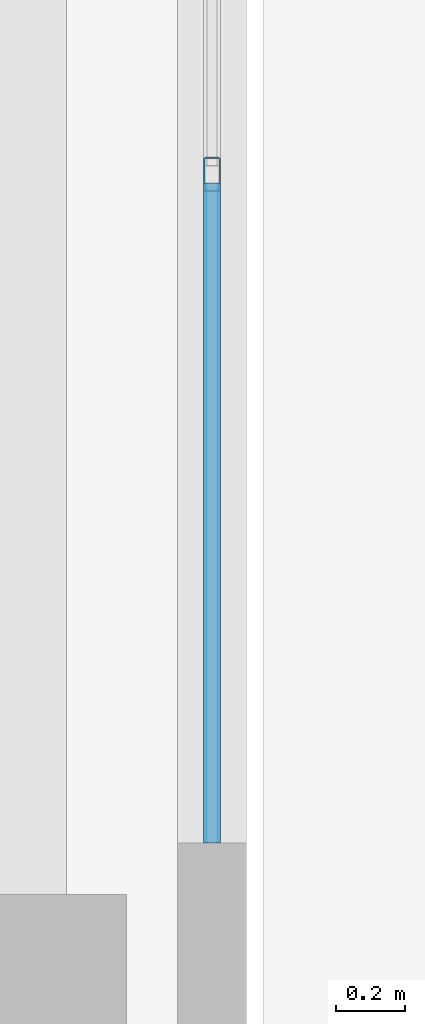
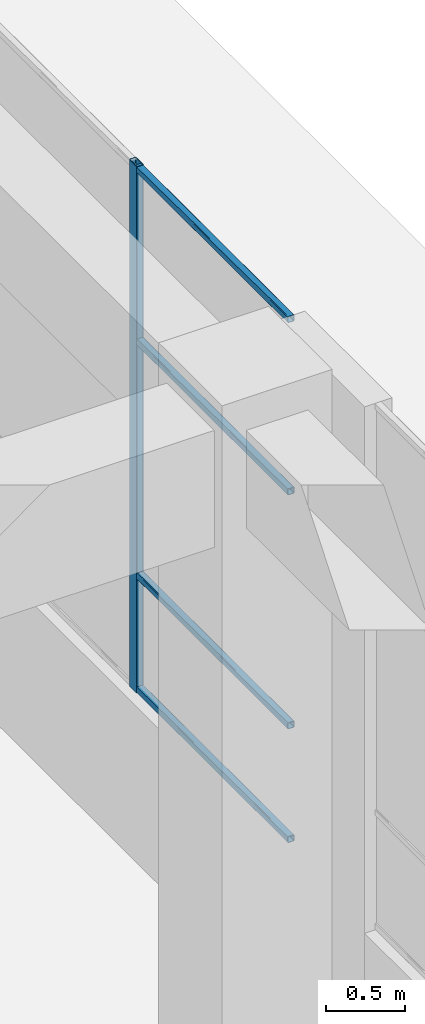
# One storey, part 35 of 72: 5 members, 1 element without a shape of its own.
"""IFC4 building model written with IfcOpenShell, lengths in metres."""

import ifcopenshell
import ifcopenshell.guid

model = None  # the IFC model being written
_history = None  # IfcOwnerHistory: only IFC2X3 demands one
_inside = {}  # id of a spatial element -> (the spatial element, [elements in it])
_under = {}  # id of a project, library or spatial element -> (it, [spatial elements below it])
_declared = {}  # id of a project -> (the project, [libraries it declares])
_typed = {}  # id of a type object -> (the type object, [elements of that type])
_made_of = {}  # id of a material, layer set ... -> (it, [elements and type objects made of it])


def new_model(schema):
    """Start an empty IFC model of exactly this schema.

    Asked for "IFC4X3", IfcOpenShell would pick the latest addendum, in which some entities
    have other attributes; the version numbers below select the first issue.
    IFC2X3 requires an IfcOwnerHistory on every rooted entity: one is made here for all.
    """
    global model, _history
    if schema == "IFC4X3":
        model = ifcopenshell.file(schema_version=(4, 3, 0, 0))
    else:
        model = ifcopenshell.file(schema=schema)
    _inside.clear()
    _under.clear()
    _declared.clear()
    _typed.clear()
    _made_of.clear()
    _history = None
    if model.schema == "IFC2X3":
        org = make("IfcOrganization", Name="unknown")
        user = make(
            "IfcPersonAndOrganization",
            ThePerson=make("IfcPerson", FamilyName="unknown"),
            TheOrganization=org,
        )
        app = make(
            "IfcApplication",
            ApplicationDeveloper=org,
            Version="unknown",
            ApplicationFullName="unknown",
            ApplicationIdentifier="unknown",
        )
        _history = make(
            "IfcOwnerHistory",
            OwningUser=user,
            OwningApplication=app,
            ChangeAction="ADDED",
            CreationDate=0,
        )
    return model


def make(cls, **values):
    """One entity of the class cls with the attributes given. An attribute that is None is left unset."""
    return model.create_entity(
        cls, **{name: value for name, value in values.items() if value is not None}
    )


def rooted(cls, **values):
    """An entity with a GlobalId (a new one), such as an element, a storey or a relation."""
    return make(cls, GlobalId=ifcopenshell.guid.new(), OwnerHistory=_history, **values)


def si_unit(unit_type, name, prefix=None):
    """IfcSIUnit, for example si_unit("LENGTHUNIT", "METRE", prefix="MILLI")."""
    return make("IfcSIUnit", UnitType=unit_type, Prefix=prefix, Name=name)


def assignment(units):
    """IfcUnitAssignment: the units of a project."""
    return None if units is None else make("IfcUnitAssignment", Units=units)


def point(xyz):
    """IfcCartesianPoint."""
    return None if xyz is None else make("IfcCartesianPoint", Coordinates=xyz)


def direction(xyz):
    """IfcDirection."""
    return None if xyz is None else make("IfcDirection", DirectionRatios=xyz)


def frame(location, z_axis=None, x_axis=None):
    """IfcAxis2Placement3D, a coordinate frame: its origin and axes. An axis left out is left unset."""
    return make(
        "IfcAxis2Placement3D",
        Location=point(location),
        Axis=direction(z_axis),
        RefDirection=direction(x_axis),
    )


def frame_2d(location, x_axis=None):
    """IfcAxis2Placement2D, a coordinate frame in the plane: its origin and x axis."""
    return make(
        "IfcAxis2Placement2D", Location=point(location), RefDirection=direction(x_axis)
    )


def origin():
    """The frame at (0, 0, 0) with its axes left unset."""
    return frame((0.0, 0.0, 0.0))


def origin_2d():
    """The frame at (0, 0) in the plane with its x axis left unset."""
    return frame_2d((0.0, 0.0))


def place(relative_to, where):
    """IfcLocalPlacement: puts the frame where relative to a parent placement (None: the world)."""
    return make(
        "IfcLocalPlacement", PlacementRelTo=relative_to, RelativePlacement=where
    )


def context(
    kind, dimensions, precision=None, world=None, true_north=None, identifier=None
):
    """IfcGeometricRepresentationContext, for example the 3D "Model" context."""
    return make(
        "IfcGeometricRepresentationContext",
        ContextIdentifier=identifier,
        ContextType=kind,
        CoordinateSpaceDimension=dimensions,
        Precision=precision,
        WorldCoordinateSystem=world,
        TrueNorth=true_north,
    )


def subcontext(parent, identifier, kind, view, scale=None):
    """IfcGeometricRepresentationSubContext, for example "Body" below "Model"."""
    return make(
        "IfcGeometricRepresentationSubContext",
        ContextIdentifier=identifier,
        ContextType=kind,
        ParentContext=parent,
        TargetScale=scale,
        TargetView=view,
    )


def project(units=None, contexts=None):
    """IfcProject with its units and contexts."""
    return rooted(
        "IfcProject",
        Name="project",
        RepresentationContexts=contexts,
        UnitsInContext=assignment(units),
    )


def spatial(cls, under=None, at=None, **own):
    """A site, building, storey or space (cls), placed at a placement, below another one or the project."""
    s = rooted(cls, ObjectPlacement=at, **own)
    if under is not None:
        _under.setdefault(under.id(), (under, []))[1].append(s)
    return s


def profile(cls, at=None, kind="AREA", **sizes):
    """A parametric profile (cls). Its sizes go by their IFC names, for example OverallWidth=200.0."""
    return make(cls, ProfileType=kind, Position=at, **sizes)


def hollow_rectangle(**sizes):
    """IfcRectangleHollowProfileDef."""
    return profile("IfcRectangleHollowProfileDef", **sizes)


def extrude(swept, where, along, depth):
    """IfcExtrudedAreaSolid: the profile swept, set in the frame where, extruded along a direction by depth."""
    return make(
        "IfcExtrudedAreaSolid",
        SweptArea=swept,
        Position=where,
        ExtrudedDirection=direction(along),
        Depth=depth,
    )


def shape(context_of_items, identifier, shape_type, items):
    """IfcShapeRepresentation: the items that make up one representation, for example the "Body"."""
    return make(
        "IfcShapeRepresentation",
        ContextOfItems=context_of_items,
        RepresentationIdentifier=identifier,
        RepresentationType=shape_type,
        Items=items,
    )


def material(Name=None, Category=None):
    """IfcMaterial."""
    return make("IfcMaterial", Name=Name, Category=Category)


def layer(
    of_material, thickness, ventilated=None, Name=None, Category=None, Priority=None
):
    """IfcMaterialLayer: one layer of a wall or slab, of a material (None: an air gap)."""
    return make(
        "IfcMaterialLayer",
        Material=of_material,
        LayerThickness=thickness,
        IsVentilated=ventilated,
        Name=Name,
        Category=Category,
        Priority=Priority,
    )


def layer_set(layers, Name=None):
    """IfcMaterialLayerSet."""
    return make("IfcMaterialLayerSet", MaterialLayers=layers, LayerSetName=Name)


def material_profile(
    of_material, cross_section, Name=None, Category=None, Priority=None
):
    """IfcMaterialProfile: a cross section and its material."""
    return make(
        "IfcMaterialProfile",
        Name=Name,
        Material=of_material,
        Profile=cross_section,
        Priority=Priority,
        Category=Category,
    )


def profile_set(profiles, Name=None, composite=None):
    """IfcMaterialProfileSet."""
    return make(
        "IfcMaterialProfileSet",
        Name=Name,
        MaterialProfiles=profiles,
        CompositeProfile=composite,
    )


def made_of(thing, what):
    """Note that an element or type object is made of a material, layer set ...; save() writes the relation."""
    if what is not None:
        _made_of.setdefault(what.id(), (what, []))[1].append(thing)
    return thing


def type_object(cls, material=None, **own):
    """A type object (cls), such as IfcWallType, which elements share."""
    return made_of(rooted(cls, **own), material)


def element(
    cls,
    number,
    at=None,
    inside=None,
    cuts=None,
    type_object=None,
    material=None,
    context=None,
    identifier="Body",
    shape_type=None,
    held_by="IfcProductDefinitionShape",
    body=None,
    shapes=None,
    **own,
):
    """One element of the class cls, such as IfcWall. Its Tag is "e" and its number.

    at: its placement. inside: the storey or other place that contains it. cuts: it is an
    opening in that element (IfcRelVoidsElement). A single representation is given by context,
    identifier, shape_type and body (its items); several are given by shapes. held_by: the class
    of the entity that holds the representations. save() writes the other relations.
    """
    e = rooted(cls, Tag="e%d" % number, ObjectPlacement=at, **own)
    if body is not None:
        shapes = [shape(context, identifier, shape_type, body)]
    if shapes is not None:
        e.Representation = make(held_by, Representations=shapes)
    if inside is not None:
        _inside.setdefault(inside.id(), (inside, []))[1].append(e)
    if cuts is not None:
        rooted(
            "IfcRelVoidsElement", RelatingBuildingElement=cuts, RelatedOpeningElement=e
        )
    if type_object is not None:
        _typed.setdefault(type_object.id(), (type_object, []))[1].append(e)
    return made_of(e, material)


def aggregate(whole, parts):
    """IfcRelAggregates: a whole, such as a stair, and the parts it consists of."""
    return rooted("IfcRelAggregates", RelatingObject=whole, RelatedObjects=parts)


def save(model, path):
    """Write the relations noted so far, then the file.

    IfcRelAggregates (storeys below a building ...), IfcRelContainedInSpatialStructure (elements
    in a storey), IfcRelDefinesByType, IfcRelAssociatesMaterial and IfcRelDeclares: one each for
    every whole, place, type object, material and project.
    """
    for whole, parts in _under.values():
        aggregate(whole, parts)
    for where, things in _inside.values():
        rooted(
            "IfcRelContainedInSpatialStructure",
            RelatedElements=things,
            RelatingStructure=where,
        )
    for kind, things in _typed.values():
        rooted("IfcRelDefinesByType", RelatedObjects=things, RelatingType=kind)
    for what, things in _made_of.values():
        rooted("IfcRelAssociatesMaterial", RelatedObjects=things, RelatingMaterial=what)
    for by, libraries in _declared.values():
        rooted("IfcRelDeclares", RelatingContext=by, RelatedDefinitions=libraries)
    model.write(path)


model = new_model("IFC4")

# Units and contexts
model_context = context("Model", 3, precision=1e-05, world=origin(), true_north=direction((0.0, 1.0)))
body_context = subcontext(model_context, "Body", "Model", "MODEL_VIEW")
ifc_project = project(units=[si_unit("LENGTHUNIT", "METRE"), si_unit("AREAUNIT", "SQUARE_METRE"), si_unit("VOLUMEUNIT", "CUBIC_METRE"), si_unit("PLANEANGLEUNIT", "RADIAN"), si_unit("MASSUNIT", "GRAM", prefix="KILO")], contexts=[model_context])

# Site, building, storey
site_placement = place(None, origin())
site = spatial("IfcSite", under=ifc_project, at=site_placement, CompositionType="ELEMENT")
building_placement = place(site_placement, origin())
building = spatial("IfcBuilding", under=site, at=building_placement, Name="Tuart Plaza Theatre", CompositionType="ELEMENT")
storey_placement = place(building_placement, origin())
storey = spatial("IfcBuildingStorey", under=building, at=storey_placement, Name="L00", CompositionType="ELEMENT", Elevation=0.0)

# Curtain wall, members
ifc_material_1 = material(Name="Aluminium and glass", Category="aluminium")
ifc_layer = layer(ifc_material_1, 0.10009765625)
ifc_layer_set = layer_set([ifc_layer], Name="CURTAIN WALL 2000 module")
curtain_wall_type = type_object("IfcCurtainWallType", Name="CURTAIN WALL 2000 module", PredefinedType="NOTDEFINED", material=ifc_layer_set)
curtain_wall_placement = place(storey_placement, origin())
curtain_wall = element("IfcCurtainWall", 1, at=curtain_wall_placement, inside=storey, type_object=curtain_wall_type, Name="CW49", PredefinedType="NOTDEFINED")
ifc_material_2 = material(Name="Aluminium 6063-T5", Category="aluminium")
ifc_material_profile_1 = material_profile(ifc_material_2, hollow_rectangle(XDim=0.050048828125, YDim=0.10009765625, WallThickness=0.00390625, InnerFilletRadius=0.00390625, OuterFilletRadius=0.008056640625, at=origin_2d()), Name="RHS 100x50x4")
ifc_profile_set_1 = profile_set([ifc_material_profile_1], Name="Aluminium 6063-T5")
member_type_1 = type_object("IfcMemberType", Name="MULLION RHS 100x50x4", PredefinedType="MULLION", material=ifc_profile_set_1)
member_1_placement = place(storey_placement, frame((150.64990234375, 67.5, 1.199951171875), z_axis=(0.0, 0.0, 1.0), x_axis=(-1.0, 0.0, 0.0)))
member_1 = element("IfcMember", 2, at=member_1_placement, type_object=member_type_1, Name="CW49 mullion 2", PredefinedType="MULLION", context=body_context, shape_type="SweptSolid", body=[
    extrude(hollow_rectangle(XDim=0.050048828125, YDim=0.10009765625, WallThickness=0.00390625, InnerFilletRadius=0.00390625, OuterFilletRadius=0.008056640625, at=origin_2d()), origin(), (0.0, 0.0, 1.0), 4.050048828125),
])
ifc_material_3 = material(Name="Aluminium 6063-T5", Category="aluminium")
ifc_material_profile_2 = material_profile(ifc_material_3, hollow_rectangle(XDim=0.050048828125, YDim=0.050048828125, WallThickness=0.00390625, InnerFilletRadius=0.00390625, OuterFilletRadius=0.008056640625, at=origin_2d()), Name="RHS 50x50x4")
ifc_profile_set_2 = profile_set([ifc_material_profile_2], Name="Aluminium 6063-T5")
member_type_2 = type_object("IfcMemberType", Name="TRANSOM RHS 50x50x4", PredefinedType="USERDEFINED", material=ifc_profile_set_2)
member_2_placement = place(storey_placement, frame((150.64990234375, 65.550048828125, 1.22509765625), z_axis=(0.0, 1.0, 0.0), x_axis=(-1.0, 0.0, 0.0)))
member_2 = element("IfcMember", 3, at=member_2_placement, type_object=member_type_2, Name="CW49 transom 1.1", ObjectType="TRANSOM", PredefinedType="USERDEFINED", context=body_context, shape_type="SweptSolid", body=[
    extrude(hollow_rectangle(XDim=0.050048828125, YDim=0.050048828125, WallThickness=0.00390625, InnerFilletRadius=0.00390625, OuterFilletRadius=0.008056640625, at=origin_2d()), origin(), (0.0, 0.0, 1.0), 1.925048828125),
])
member_3_placement = place(storey_placement, frame((150.64990234375, 65.550048828125, 2.10009765625), z_axis=(0.0, 1.0, 0.0), x_axis=(-1.0, 0.0, 0.0)))
member_3 = element("IfcMember", 4, at=member_3_placement, type_object=member_type_2, Name="CW49 transom 1.2", ObjectType="TRANSOM", PredefinedType="USERDEFINED", context=body_context, shape_type="SweptSolid", body=[
    extrude(hollow_rectangle(XDim=0.050048828125, YDim=0.050048828125, WallThickness=0.00390625, InnerFilletRadius=0.00390625, OuterFilletRadius=0.008056640625, at=origin_2d()), origin(), (0.0, 0.0, 1.0), 1.925048828125),
])
member_4_placement = place(storey_placement, frame((150.64990234375, 65.550048828125, 3.89990234375), z_axis=(0.0, 1.0, 0.0), x_axis=(-1.0, 0.0, 0.0)))
member_4 = element("IfcMember", 5, at=member_4_placement, type_object=member_type_2, Name="CW49 transom 1.3", ObjectType="TRANSOM", PredefinedType="USERDEFINED", context=body_context, shape_type="SweptSolid", body=[
    extrude(hollow_rectangle(XDim=0.050048828125, YDim=0.050048828125, WallThickness=0.00390625, InnerFilletRadius=0.00390625, OuterFilletRadius=0.008056640625, at=origin_2d()), origin(), (0.0, 0.0, 1.0), 1.925048828125),
])
member_5_placement = place(storey_placement, frame((150.64990234375, 65.550048828125, 5.22509765625), z_axis=(0.0, 1.0, 0.0), x_axis=(-1.0, 0.0, 0.0)))
member_5 = element("IfcMember", 6, at=member_5_placement, type_object=member_type_2, Name="CW49 transom 1.4", ObjectType="TRANSOM", PredefinedType="USERDEFINED", context=body_context, shape_type="SweptSolid", body=[
    extrude(hollow_rectangle(XDim=0.050048828125, YDim=0.050048828125, WallThickness=0.00390625, InnerFilletRadius=0.00390625, OuterFilletRadius=0.008056640625, at=origin_2d()), origin(), (0.0, 0.0, 1.0), 1.925048828125),
])
aggregate(curtain_wall, [member_1, member_2, member_3, member_4, member_5])

save(model, "model.ifc")
